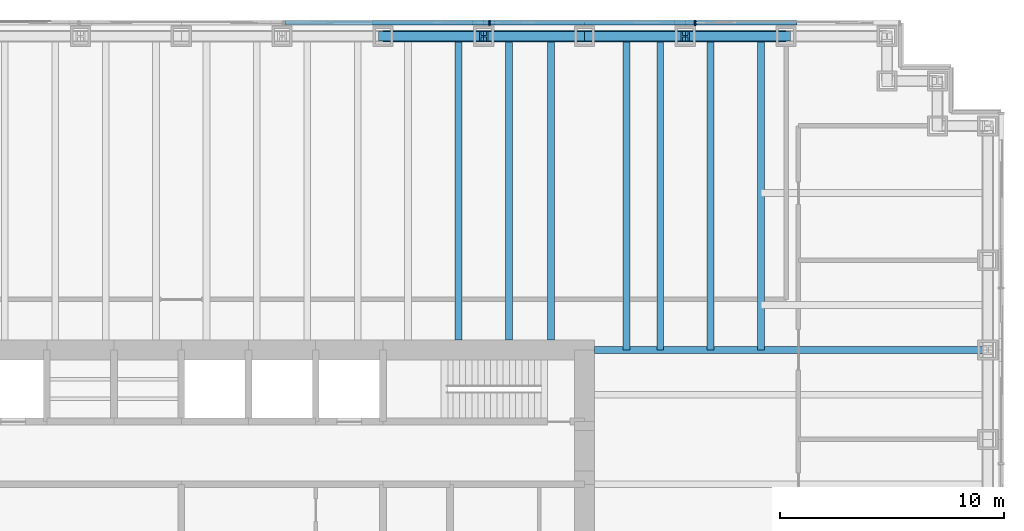
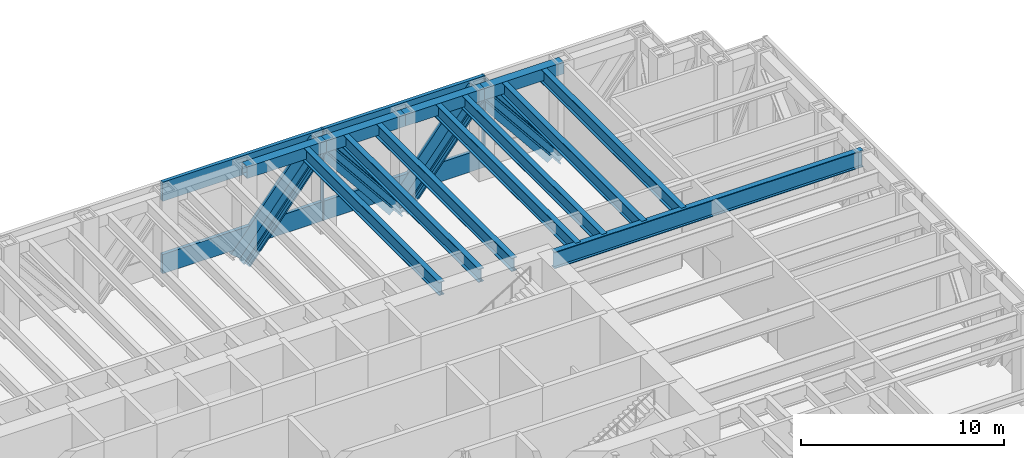
# One storey, part 7 of 16: 14 members, 12 beams, 1 element without a shape of its own.
"""IFC4 building model written with IfcOpenShell, lengths in metres."""

from ifc_helpers import new_model, si_unit, direction, frame, origin, origin_2d, place, context, subcontext, project, spatial, rectangle, hollow_rectangle, i_section, extrude, material, material_profile, profile_set, type_object, element, aggregate, save


model = new_model("IFC4")

# Units and contexts
model_context = context("Model", 3, precision=1e-05, world=origin(), true_north=direction((0.0, 1.0)))
body_context = subcontext(model_context, "Body", "Model", "MODEL_VIEW")
ifc_project = project(units=[si_unit("LENGTHUNIT", "METRE"), si_unit("AREAUNIT", "SQUARE_METRE"), si_unit("VOLUMEUNIT", "CUBIC_METRE"), si_unit("PLANEANGLEUNIT", "RADIAN"), si_unit("MASSUNIT", "GRAM", prefix="KILO")], contexts=[model_context])

# Site, building, storey
site_placement = place(None, origin())
site = spatial("IfcSite", under=ifc_project, at=site_placement, CompositionType="ELEMENT")
building_placement = place(site_placement, origin())
building = spatial("IfcBuilding", under=site, at=building_placement, Name="Rheinbord Bourse Tower", CompositionType="ELEMENT")
storey_placement = place(building_placement, frame((0.0, 0.0, 95.0)))
storey = spatial("IfcBuildingStorey", under=building, at=storey_placement, Name="L20", CompositionType="ELEMENT", Elevation=95.0)

# Beams
ifc_material_1 = material(Name="Steel S460M", Category="steel")
ifc_material_profile_1 = material_profile(ifc_material_1, hollow_rectangle(XDim=0.5, YDim=0.699951171875, WallThickness=0.0400390625, at=origin_2d()), Name="BOX 700x500x40")
ifc_profile_set_1 = profile_set([ifc_material_profile_1], Name="Steel S460M")
beam_type_1 = type_object("IfcBeamType", Name="BELT CHORD BOX 700x500x40", PredefinedType="SPANDREL", material=ifc_profile_set_1)
for number, where, z_axis, x_axis, name in (
    (1, (63.0, 46.0, 4.989990234375), (-1.0, 0.0, 0.0), (0.0, -1.0, 0.0), "Spandrel N-63-N-58.5 under L21"),
    (2, (58.5, 46.0, 4.989990234375), (-1.0, 0.0, 0.0), (0.0, -1.0, 0.0), "Spandrel N-58.5-N-54 under L21"),
    (3, (54.0, 46.0, 4.989990234375), (-1.0, 0.0, 0.0), (0.0, -1.0, 0.0), "Spandrel N-54-N-49.5 under L21"),
    (4, (49.5, 46.0, 4.989990234375), (-1.0, 0.0, 0.0), (0.0, -1.0, 0.0), "Spandrel N-49.5-N-45 under L21"),
):
    element("IfcBeam", number, at=place(storey_placement, frame(where, z_axis=z_axis, x_axis=x_axis)), inside=storey, type_object=beam_type_1, Name=name, PredefinedType="SPANDREL", context=body_context, shape_type="SweptSolid", body=[
        extrude(hollow_rectangle(XDim=0.5, YDim=0.699951171875, WallThickness=0.0400390625, at=origin_2d()), origin(), (0.0, 0.0, 1.0), 4.5),
    ])

# Members
ifc_material_2 = material(Name="Steel S460", Category="steel")
ifc_material_profile_2 = material_profile(ifc_material_2, i_section(OverallWidth=0.431884765625, OverallDepth=0.498046875, WebThickness=0.0556640625, FlangeThickness=0.0888671875, at=origin_2d()), Name="HD 400x744")
ifc_profile_set_2 = profile_set([ifc_material_profile_2], Name="Steel S460")
member_type_1 = type_object("IfcMemberType", Name="BELT DIAGONAL HD 400x744", PredefinedType="STRUT", material=ifc_profile_set_2)
for number, where, z_axis, x_axis, name in (
    (5, (63.0, 46.0, -0.60009765625), (-0.627065297878, 0.0, 0.778966695178), (0.0, -1.0, 0.0), "Belt truss diagonal N-63-N-58.5 L20"),
    (6, (54.0, 46.0, -0.60009765625), (0.627065297878, 0.0, 0.778966695178), (0.0, 1.0, 0.0), "Belt truss diagonal N-58.5-N-54 L20"),
    (7, (54.0, 46.0, -0.60009765625), (-0.627065297878, 0.0, 0.778966695178), (0.0, -1.0, 0.0), "Belt truss diagonal N-54-N-49.5 L20"),
    (8, (45.0, 46.0, -0.60009765625), (0.627065297878, 0.0, 0.778966695178), (0.0, 1.0, 0.0), "Belt truss diagonal N-49.5-N-45 L20"),
):
    element("IfcMember", number, at=place(storey_placement, frame(where, z_axis=z_axis, x_axis=x_axis)), inside=storey, type_object=member_type_1, Name=name, PredefinedType="STRUT", context=body_context, shape_type="SweptSolid", body=[
        extrude(i_section(OverallWidth=0.431884765625, OverallDepth=0.498046875, WebThickness=0.0556640625, FlangeThickness=0.0888671875, at=origin_2d()), origin(), (0.0, 0.0, 1.0), 7.17626953125),
    ])

# Curtain wall, members
ifc_material_3 = material(Name="Dark glass and black aluminium", Category="aluminium")
curtain_wall_type = type_object("IfcCurtainWallType", Name="CW5 DARK GLASS CURTAIN WALL", PredefinedType="USERDEFINED", material=ifc_material_3)
curtain_wall_placement = place(storey_placement, origin())
curtain_wall = element("IfcCurtainWall", 9, at=curtain_wall_placement, inside=storey, type_object=curtain_wall_type, Name="Curtain wall CW5 N L20", ObjectType="UNITISED CURTAIN WALL", PredefinedType="USERDEFINED")
ifc_material_4 = material(Name="Black anodised aluminium", Category="aluminium")
ifc_material_profile_3 = material_profile(ifc_material_4, rectangle(XDim=0.199951171875, YDim=1.259033203125, at=origin_2d()), Name="CW5 DIAGONAL MULLION 1259x200")
ifc_profile_set_3 = profile_set([ifc_material_profile_3], Name="Black anodised aluminium")
member_type_2 = type_object("IfcMemberType", Name="CW5 BLACK DIAGONAL MULLION", PredefinedType="USERDEFINED", material=ifc_profile_set_3)
member_1_placement = place(storey_placement, frame((63.0, 46.60009765625, -0.60009765625), z_axis=(-0.627065297878, 0.0, 0.778966695178), x_axis=(0.0, -1.0, 0.0)))
member_1 = element("IfcMember", 10, at=member_1_placement, type_object=member_type_2, Name="CW5 diagonal mullion belt N-63", ObjectType="DIAGONAL MULLION", PredefinedType="USERDEFINED", context=body_context, shape_type="SweptSolid", body=[
    extrude(rectangle(XDim=0.199951171875, YDim=1.259033203125, at=origin_2d()), origin(), (0.0, 0.0, 1.0), 7.17626953125),
])
member_2_placement = place(storey_placement, frame((54.0, 46.60009765625, -0.60009765625), z_axis=(0.627065297878, 0.0, 0.778966695178), x_axis=(0.0, 1.0, 0.0)))
member_2 = element("IfcMember", 11, at=member_2_placement, type_object=member_type_2, Name="CW5 diagonal mullion belt N-58.5", ObjectType="DIAGONAL MULLION", PredefinedType="USERDEFINED", context=body_context, shape_type="SweptSolid", body=[
    extrude(rectangle(XDim=0.199951171875, YDim=1.259033203125, at=origin_2d()), origin(), (0.0, 0.0, 1.0), 7.17626953125),
])
member_3_placement = place(storey_placement, frame((54.0, 46.60009765625, -0.60009765625), z_axis=(-0.627065297878, 0.0, 0.778966695178), x_axis=(0.0, -1.0, 0.0)))
member_3 = element("IfcMember", 12, at=member_3_placement, type_object=member_type_2, Name="CW5 diagonal mullion belt N-54", ObjectType="DIAGONAL MULLION", PredefinedType="USERDEFINED", context=body_context, shape_type="SweptSolid", body=[
    extrude(rectangle(XDim=0.199951171875, YDim=1.259033203125, at=origin_2d()), origin(), (0.0, 0.0, 1.0), 7.17626953125),
])
member_4_placement = place(storey_placement, frame((45.0, 46.60009765625, -0.60009765625), z_axis=(0.627065297878, 0.0, 0.778966695178), x_axis=(0.0, 1.0, 0.0)))
member_4 = element("IfcMember", 13, at=member_4_placement, type_object=member_type_2, Name="CW5 diagonal mullion belt N-49.5", ObjectType="DIAGONAL MULLION", PredefinedType="USERDEFINED", context=body_context, shape_type="SweptSolid", body=[
    extrude(rectangle(XDim=0.199951171875, YDim=1.259033203125, at=origin_2d()), origin(), (0.0, 0.0, 1.0), 7.17626953125),
])
ifc_material_5 = material(Name="Black anodised aluminium", Category="aluminium")
ifc_material_profile_4 = material_profile(ifc_material_5, rectangle(XDim=0.25, YDim=0.080078125, at=origin_2d()), Name="CW5 MULLION 80x250")
ifc_profile_set_4 = profile_set([ifc_material_profile_4], Name="Black anodised aluminium")
member_type_3 = type_object("IfcMemberType", Name="CW5 BLACK MULLION", PredefinedType="MULLION", material=ifc_profile_set_4)
member_5_placement = place(storey_placement, frame((58.928466796875, 46.60009765625, 0.0), z_axis=(0.0, 0.0, 1.0), x_axis=(0.0, -1.0, 0.0)))
member_5 = element("IfcMember", 14, at=member_5_placement, type_object=member_type_3, Name="CW5 mullion 2", PredefinedType="MULLION", context=body_context, shape_type="SweptSolid", body=[
    extrude(rectangle(XDim=0.25, YDim=0.080078125, at=origin_2d()), origin(), (0.0, 0.0, 1.0), 5.5),
])
member_6_placement = place(storey_placement, frame((49.757080078125, 46.60009765625, 0.0), z_axis=(0.0, 0.0, 1.0), x_axis=(0.0, -1.0, 0.0)))
member_6 = element("IfcMember", 15, at=member_6_placement, type_object=member_type_3, Name="CW5 mullion 3", PredefinedType="MULLION", context=body_context, shape_type="SweptSolid", body=[
    extrude(rectangle(XDim=0.25, YDim=0.080078125, at=origin_2d()), origin(), (0.0, 0.0, 1.0), 5.5),
])
ifc_material_6 = material(Name="Black anodised aluminium", Category="aluminium")
ifc_material_profile_5 = material_profile(ifc_material_6, rectangle(XDim=0.199951171875, YDim=1.14990234375, at=origin_2d()), Name="CW5 TRANSOM 1150x200")
ifc_profile_set_5 = profile_set([ifc_material_profile_5], Name="Black anodised aluminium")
member_type_4 = type_object("IfcMemberType", Name="CW5 BLACK TRANSOM", PredefinedType="USERDEFINED", material=ifc_profile_set_5)
member_7_placement = place(storey_placement, frame((58.888671875, 46.60009765625, 0.574951171875), z_axis=(-1.0, 0.0, 0.0), x_axis=(0.0, -1.0, 0.0)))
member_7 = element("IfcMember", 16, at=member_7_placement, type_object=member_type_4, Name="CW5 transom 2.1", ObjectType="TRANSOM", PredefinedType="USERDEFINED", context=body_context, shape_type="SweptSolid", body=[
    extrude(rectangle(XDim=0.199951171875, YDim=1.14990234375, at=origin_2d()), origin(), (0.0, 0.0, 1.0), 9.091552734375),
])
member_8_placement = place(storey_placement, frame((58.888671875, 46.60009765625, 4.925048828125), z_axis=(-1.0, 0.0, 0.0), x_axis=(0.0, -1.0, 0.0)))
member_8 = element("IfcMember", 17, at=member_8_placement, type_object=member_type_4, Name="CW5 transom 2.2", ObjectType="TRANSOM", PredefinedType="USERDEFINED", context=body_context, shape_type="SweptSolid", body=[
    extrude(rectangle(XDim=0.199951171875, YDim=1.14990234375, at=origin_2d()), origin(), (0.0, 0.0, 1.0), 9.091552734375),
])
member_9_placement = place(storey_placement, frame((49.717041015625, 46.60009765625, 0.574951171875), z_axis=(-1.0, 0.0, 0.0), x_axis=(0.0, -1.0, 0.0)))
member_9 = element("IfcMember", 18, at=member_9_placement, type_object=member_type_4, Name="CW5 transom 3.1", ObjectType="TRANSOM", PredefinedType="USERDEFINED", context=body_context, shape_type="SweptSolid", body=[
    extrude(rectangle(XDim=0.199951171875, YDim=1.14990234375, at=origin_2d()), origin(), (0.0, 0.0, 1.0), 9.09130859375),
])
member_10_placement = place(storey_placement, frame((49.717041015625, 46.60009765625, 4.925048828125), z_axis=(-1.0, 0.0, 0.0), x_axis=(0.0, -1.0, 0.0)))
member_10 = element("IfcMember", 19, at=member_10_placement, type_object=member_type_4, Name="CW5 transom 3.2", ObjectType="TRANSOM", PredefinedType="USERDEFINED", context=body_context, shape_type="SweptSolid", body=[
    extrude(rectangle(XDim=0.199951171875, YDim=1.14990234375, at=origin_2d()), origin(), (0.0, 0.0, 1.0), 9.09130859375),
])
aggregate(curtain_wall, [member_5, member_6, member_7, member_8, member_9, member_10, member_1, member_2, member_3, member_4])

# Beams
ifc_material_7 = material(Name="Steel S460", Category="steel")
ifc_material_profile_6 = material_profile(ifc_material_7, i_section(OverallWidth=0.300048828125, OverallDepth=0.800048828125, WebThickness=0.017578125, FlangeThickness=0.032958984375, at=origin_2d()), Name="HEB 800")
ifc_profile_set_6 = profile_set([ifc_material_profile_6], Name="Steel S460")
beam_type_2 = type_object("IfcBeamType", Name="FLOOR BEAM HEB 800", PredefinedType="BEAM", material=ifc_profile_set_6)
for number, where, z_axis, x_axis, name in (
    (20, (48.375, 46.0, 4.93994140625), (0.0, -1.0, 0.0), (1.0, 0.0, 0.0), "Floor beam N-45b L21"),
    (21, (50.625, 46.0, 4.93994140625), (0.0, -1.0, 0.0), (1.0, 0.0, 0.0), "Floor beam N-49.5a L21"),
    (22, (52.5, 46.0, 4.93994140625), (0.0, -1.0, 0.0), (1.0, 0.0, 0.0), "Floor beam N-49.5b L21"),
):
    element("IfcBeam", number, at=place(storey_placement, frame(where, z_axis=z_axis, x_axis=x_axis)), inside=storey, type_object=beam_type_2, Name=name, PredefinedType="BEAM", context=body_context, shape_type="SweptSolid", body=[
        extrude(i_section(OverallWidth=0.300048828125, OverallDepth=0.800048828125, WebThickness=0.017578125, FlangeThickness=0.032958984375, at=origin_2d()), origin(), (0.0, 0.0, 1.0), 13.550048828125),
    ])
for number, where, z_axis, x_axis, name in (
    (23, (55.875, 46.0, 4.93994140625), (0.0, -1.0, 0.0), (1.0, 0.0, 0.0), "Floor beam N-54a L21"),
    (24, (57.375, 46.0, 4.93994140625), (0.0, -1.0, 0.0), (1.0, 0.0, 0.0), "Floor beam N-54b L21"),
    (25, (59.625, 46.0, 4.93994140625), (0.0, -1.0, 0.0), (1.0, 0.0, 0.0), "Floor beam N-58.5a L21"),
    (26, (61.875, 46.0, 4.93994140625), (0.0, -1.0, 0.0), (1.0, 0.0, 0.0), "Floor beam N-58.5b L21"),
):
    element("IfcBeam", number, at=place(storey_placement, frame(where, z_axis=z_axis, x_axis=x_axis)), inside=storey, type_object=beam_type_2, Name=name, PredefinedType="BEAM", context=body_context, shape_type="SweptSolid", body=[
        extrude(i_section(OverallWidth=0.300048828125, OverallDepth=0.800048828125, WebThickness=0.017578125, FlangeThickness=0.032958984375, at=origin_2d()), origin(), (0.0, 0.0, 1.0), 14.0),
    ])
ifc_material_8 = material(Name="Steel S460", Category="steel")
ifc_material_profile_7 = material_profile(ifc_material_8, i_section(OverallWidth=0.302001953125, OverallDepth=1.008056640625, WebThickness=0.02099609375, FlangeThickness=0.0400390625, at=origin_2d()), Name="HEM 1000")
ifc_profile_set_7 = profile_set([ifc_material_profile_7], Name="Steel S460")
beam_type_3 = type_object("IfcBeamType", Name="GIRDER HEM 1000", PredefinedType="BEAM", material=ifc_profile_set_7)
beam_placement = place(storey_placement, frame((54.449951171875, 32.0, 4.8359375), z_axis=(1.0, 0.0, 0.0), x_axis=(0.0, 1.0, 0.0)))
element("IfcBeam", 27, at=beam_placement, inside=storey, type_object=beam_type_3, Name="Girder east 32 L21", PredefinedType="BEAM", context=body_context, shape_type="SweptSolid", body=[
    extrude(i_section(OverallWidth=0.302001953125, OverallDepth=1.008056640625, WebThickness=0.02099609375, FlangeThickness=0.0400390625, at=origin_2d()), origin(), (0.0, 0.0, 1.0), 17.550048828125),
])

save(model, "model.ifc")
